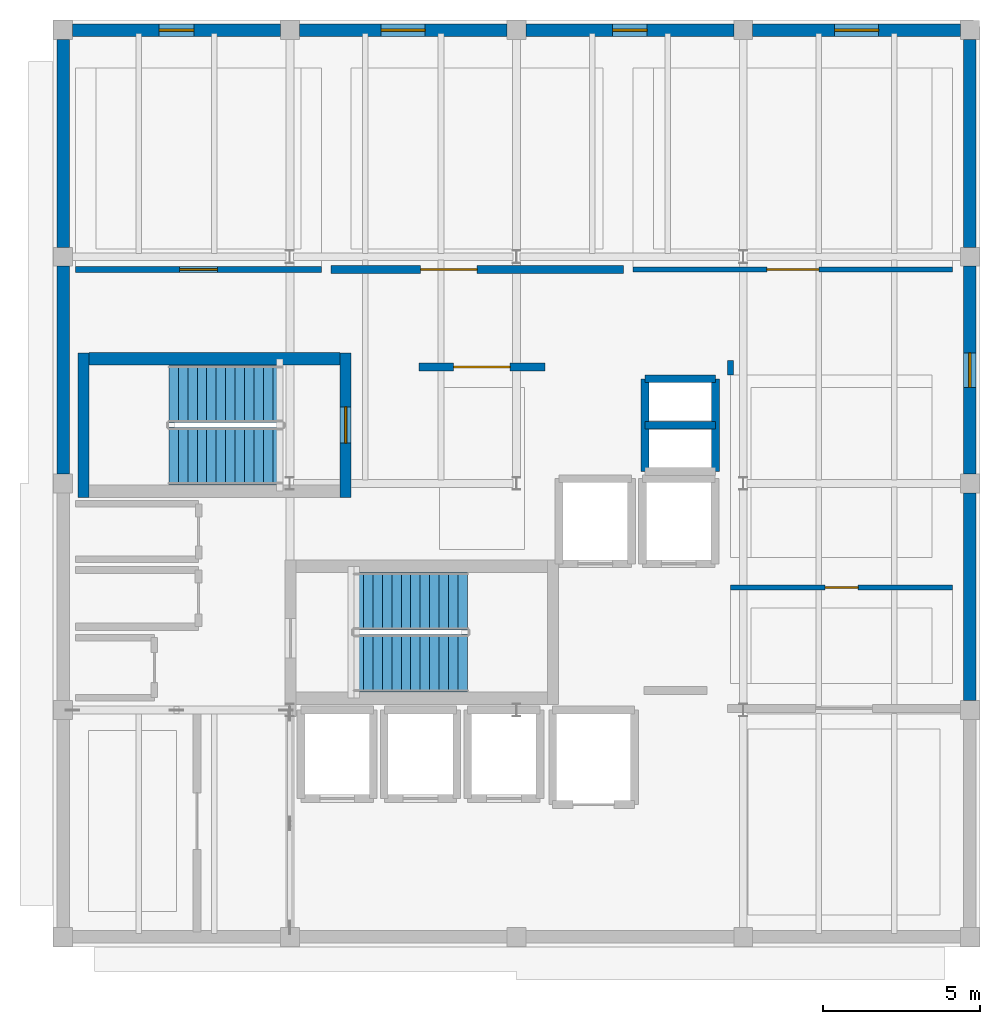
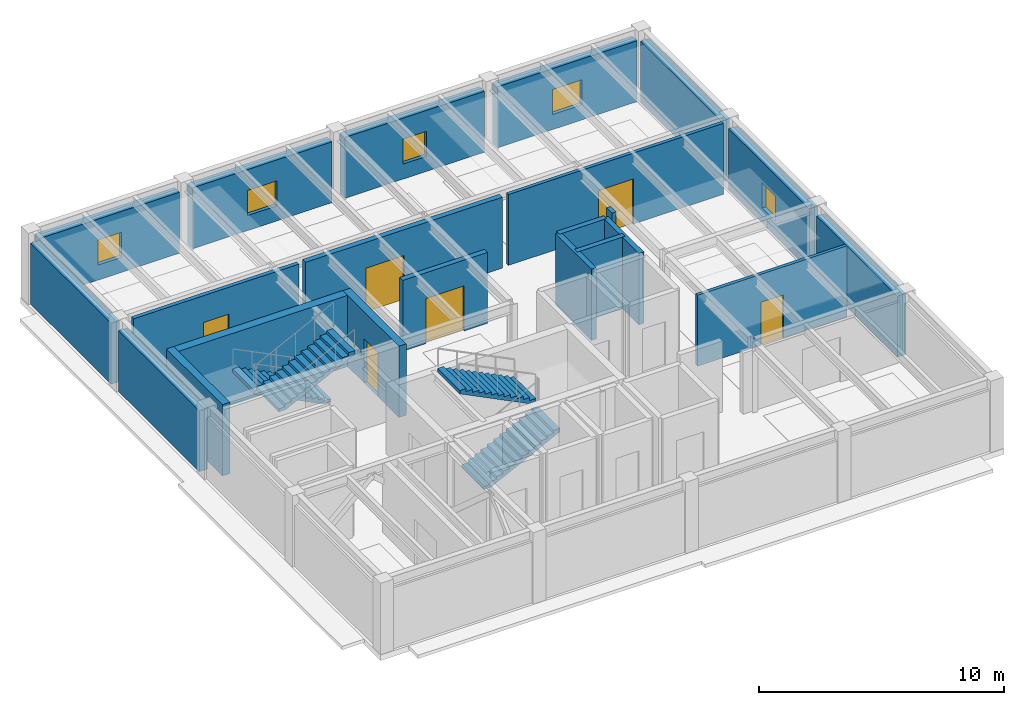
# One storey, part 5 of 8: 22 walls, 6 doors, 5 windows, 4 stair flights, 11 openings, 2 elements without a shape of their own.
"""IFC4 building model written with IfcOpenShell, lengths in metres."""

from ifc_helpers import new_model, si_unit, direction, frame, frame_2d, origin, place, context, subcontext, project, spatial, polyline, rectangle, outline, extrude, material, layer, layer_set, type_object, element, fill, aggregate, save


model = new_model("IFC4")

# Units and contexts
model_context = context("Model", 3, precision=1e-05, world=origin(), true_north=direction((0.0, 1.0)))
body_context = subcontext(model_context, "Body", "Model", "MODEL_VIEW")
ifc_project = project(units=[si_unit("LENGTHUNIT", "METRE"), si_unit("AREAUNIT", "SQUARE_METRE"), si_unit("VOLUMEUNIT", "CUBIC_METRE"), si_unit("PLANEANGLEUNIT", "RADIAN"), si_unit("MASSUNIT", "GRAM", prefix="KILO")], contexts=[model_context])

# Site, building, storey
site_placement = place(None, origin())
site = spatial("IfcSite", under=ifc_project, at=site_placement, CompositionType="ELEMENT")
building_placement = place(site_placement, origin())
building = spatial("IfcBuilding", under=site, at=building_placement, Name="Kandorven Conservatory and Botanical Research Centre", CompositionType="ELEMENT")
storey_placement = place(building_placement, frame((0.0, 0.0, 32.699951171875)))
storey = spatial("IfcBuildingStorey", under=building, at=storey_placement, Name="L08", CompositionType="ELEMENT", Elevation=32.699951171875)

# Wall
ifc_material_1 = material(Name="Concrete C40/50 (M50)", Category="concrete")
ifc_layer_1 = layer(ifc_material_1, 0.39990234375)
ifc_layer_set_1 = layer_set([ifc_layer_1], Name="Concrete C40/50 (M50)")
wall_type_1 = type_object("IfcWallType", Name="Wall_CW-RC-1", PredefinedType="SHEAR", material=ifc_layer_set_1)
wall_1_placement = place(storey_placement, frame((14.800048828125, 24.35498046875, 0.0), z_axis=(0.0, 0.0, 1.0), x_axis=(-1.0, 0.0, 0.0)))
element("IfcWall", 1, at=wall_1_placement, inside=storey, type_object=wall_type_1, Name="Core stair shear wall CW-RC-1 ST-T2 L08 side A", PredefinedType="SHEAR", context=body_context, shape_type="SweptSolid", body=[
    extrude(rectangle(XDim=7.97998046875, YDim=0.39990234375, at=frame_2d((3.989990234375, 0.0))), origin(), (0.0, 0.0, 1.0), 3.56005859375),
])

# Wall, opening, door
ifc_material_2 = material(Name="Concrete C40/50 (M50)", Category="concrete")
ifc_layer_2 = layer(ifc_material_2, 0.35009765625)
ifc_layer_set_2 = layer_set([ifc_layer_2], Name="Concrete C40/50 (M50)")
wall_type_2 = type_object("IfcWallType", Name="Wall_CW-RC-2", PredefinedType="SHEAR", material=ifc_layer_set_2)
wall_2_placement = place(storey_placement, frame((14.97509765625, 24.550048828125, 0.0), z_axis=(0.0, 0.0, 1.0), x_axis=(0.0, -1.0, 0.0)))
wall_2 = element("IfcWall", 2, at=wall_2_placement, inside=storey, type_object=wall_type_2, Name="Core stair shear wall CW-RC-2 ST-T2 L08 entry", PredefinedType="SHEAR", context=body_context, shape_type="SweptSolid", body=[
    extrude(rectangle(XDim=4.590087890625, YDim=0.35009765625, at=frame_2d((2.294921875, 0.0))), origin(), (0.0, 0.0, 1.0), 3.56005859375),
])
opening_1_placement = place(wall_2_placement, frame((1.719970703125, 0.0, 0.0)))
opening_1 = element("IfcOpeningElement", 3, at=opening_1_placement, cuts=wall_2, Name="Opening FD-2", PredefinedType="OPENING", context=body_context, shape_type="SweptSolid", body=[
    extrude(rectangle(XDim=1.14990234375, YDim=2.199951171875, at=frame_2d((0.574951171875, 1.10009765625))), frame((0.0, 0.18505859375, 0.0), z_axis=(0.0, -1.0, 0.0), x_axis=(1.0, 0.0, 0.0)), (0.0, 0.0, 1.0), 0.3701171875),
])
ifc_material_3 = material(Name="Galvanised hollow steel fire door assembly", Category="steel")
door_type_1 = type_object("IfcDoorType", Name="Door_FD-2", OperationType="NOTDEFINED", PredefinedType="DOOR", material=ifc_material_3)
door_1_placement = place(opening_1_placement, origin())
door_1 = element("IfcDoor", 4, at=door_1_placement, inside=storey, type_object=door_type_1, Name="Exit stair fire door FD-2 ST-T2 L08", OperationType="SINGLE_SWING_LEFT", OverallHeight=2.199951171875, OverallWidth=1.14990234375, PredefinedType="DOOR", context=body_context, shape_type="SweptSolid", body=[
    extrude(rectangle(XDim=1.14990234375, YDim=2.199951171875, at=frame_2d((0.574951171875, 1.10009765625))), frame((0.0, 0.02490234375, 0.0), z_axis=(0.0, -1.0, 0.0), x_axis=(1.0, 0.0, 0.0)), (0.0, 0.0, 1.0), 0.050048828125),
])
fill(opening_1, door_1)

# Walls
wall_3_placement = place(storey_placement, frame((6.64501953125, 24.550048828125, 0.0), z_axis=(0.0, 0.0, 1.0), x_axis=(0.0, -1.0, 0.0)))
element("IfcWall", 5, at=wall_3_placement, inside=storey, type_object=wall_type_2, Name="Core stair shear wall CW-RC-2 ST-T2 L08 far", PredefinedType="SHEAR", context=body_context, shape_type="SweptSolid", body=[
    extrude(rectangle(XDim=4.590087890625, YDim=0.35009765625, at=frame_2d((2.294921875, 0.0))), origin(), (0.0, 0.0, 1.0), 3.56005859375),
])
for number, where, z_axis, x_axis, name in (
    (6, (24.47998046875, 22.25, 0.0), (0.0, 0.0, 1.0), (1.0, 0.0, 0.0), "Core MEP riser shaft wall CW-RC-2 L08 M"),
    (7, (24.47998046875, 23.719970703125, 0.0), (0.0, 0.0, 1.0), (1.0, 0.0, 0.0), "Core MEP riser shaft wall CW-RC-2 L08 N"),
):
    element("IfcWall", number, at=place(storey_placement, frame(where, z_axis=z_axis, x_axis=x_axis)), inside=storey, type_object=wall_type_2, Name=name, PredefinedType="SHEAR", context=body_context, shape_type="SweptSolid", body=[
        extrude(rectangle(XDim=2.239990234375, YDim=0.239990234375, at=frame_2d((1.1201171875, 0.0))), origin(), (0.0, 0.0, 1.0), 3.56005859375),
    ])
for number, where, z_axis, x_axis, name in (
    (8, (24.47998046875, 20.780029296875, 0.0), (0.0, 0.0, 1.0), (0.0, 1.0, 0.0), "Core MEP riser shaft wall CW-RC-2 L08 W"),
    (9, (26.719970703125, 20.780029296875, 0.0), (0.0, 0.0, 1.0), (0.0, 1.0, 0.0), "Core MEP riser shaft wall CW-RC-2 L08 E"),
):
    element("IfcWall", number, at=place(storey_placement, frame(where, z_axis=z_axis, x_axis=x_axis)), inside=storey, type_object=wall_type_2, Name=name, PredefinedType="SHEAR", context=body_context, shape_type="SweptSolid", body=[
        extrude(rectangle(XDim=2.93994140625, YDim=0.239990234375, at=frame_2d((1.469970703125, 0.0))), origin(), (0.0, 0.0, 1.0), 3.56005859375),
    ])

# Wall, opening, window
ifc_material_4 = material(Name="Concrete C40/50 (M50)", Category="concrete")
ifc_layer_3 = layer(ifc_material_4, 0.39990234375)
ifc_layer_set_3 = layer_set([ifc_layer_3], Name="Concrete C40/50 (M50)")
wall_type_3 = type_object("IfcWallType", Name="Wall_EW-HB-01", PredefinedType="STANDARD", material=ifc_layer_set_3)
wall_4_placement = place(storey_placement, frame((6.300048828125, 34.800048828125, 0.0), z_axis=(0.0, 0.0, 1.0), x_axis=(1.0, 0.0, 0.0)))
wall_4 = element("IfcWall", 10, at=wall_4_placement, inside=storey, type_object=wall_type_3, Name="Tower concrete facade wall EW-HB-01 N L08", PredefinedType="STANDARD", context=body_context, shape_type="SweptSolid", body=[
    extrude(rectangle(XDim=6.599853515625, YDim=0.39990234375, at=frame_2d((3.2998046875, 0.0))), origin(), (0.0, 0.0, 1.0), 3.0400390625),
])
opening_2_placement = place(wall_4_placement, frame((2.75, 0.0, 0.75)))
opening_2 = element("IfcOpeningElement", 11, at=opening_2_placement, cuts=wall_4, Name="Opening W-45", PredefinedType="OPENING", context=body_context, shape_type="SweptSolid", body=[
    extrude(rectangle(XDim=1.10009765625, YDim=1.25, at=frame_2d((0.550048828125, 0.625))), frame((0.0, 0.2099609375, 0.0), z_axis=(0.0, -1.0, 0.0), x_axis=(1.0, 0.0, 0.0)), (0.0, 0.0, 1.0), 0.419921875),
])
ifc_material_5 = material(Name="Double-glazed solar-control low-E glass", Category="glass")
window_type_1 = type_object("IfcWindowType", Name="Win_W-45", PartitioningType="DOUBLE_PANEL_VERTICAL", PredefinedType="WINDOW", material=ifc_material_5)
window_1_placement = place(opening_2_placement, origin())
window_1 = element("IfcWindow", 12, at=window_1_placement, inside=storey, type_object=window_type_1, Name="Tower recessed solar window W-45", OverallHeight=1.25, OverallWidth=1.10009765625, PartitioningType="SINGLE_PANEL", PredefinedType="WINDOW", context=body_context, shape_type="SweptSolid", body=[
    extrude(rectangle(XDim=1.10009765625, YDim=1.25, at=frame_2d((0.550048828125, 0.625))), frame((0.0, 0.030029296875, 0.0), z_axis=(0.0, -1.0, 0.0), x_axis=(1.0, 0.0, 0.0)), (0.0, 0.0, 1.0), 0.06005859375),
])
fill(opening_2, window_1)

wall_5_placement = place(storey_placement, frame((13.5, 34.800048828125, 0.0), z_axis=(0.0, 0.0, 1.0), x_axis=(1.0, 0.0, 0.0)))
wall_5 = element("IfcWall", 13, at=wall_5_placement, inside=storey, type_object=wall_type_3, Name="Tower concrete facade wall EW-HB-01 N L08", PredefinedType="STANDARD", context=body_context, shape_type="SweptSolid", body=[
    extrude(rectangle(XDim=6.60009765625, YDim=0.39990234375, at=frame_2d((3.300048828125, 0.0))), origin(), (0.0, 0.0, 1.0), 3.0400390625),
])
opening_3_placement = place(wall_5_placement, frame((2.60009765625, 0.0, 0.75)))
opening_3 = element("IfcOpeningElement", 14, at=opening_3_placement, cuts=wall_5, Name="Opening W-46", PredefinedType="OPENING", context=body_context, shape_type="SweptSolid", body=[
    extrude(rectangle(XDim=1.39990234375, YDim=1.25, at=frame_2d((0.699951171875, 0.625))), frame((0.0, 0.2099609375, 0.0), z_axis=(0.0, -1.0, 0.0), x_axis=(1.0, 0.0, 0.0)), (0.0, 0.0, 1.0), 0.419921875),
])
ifc_material_6 = material(Name="Double-glazed solar-control low-E glass", Category="glass")
window_type_2 = type_object("IfcWindowType", Name="Win_W-46", PartitioningType="DOUBLE_PANEL_VERTICAL", PredefinedType="WINDOW", material=ifc_material_6)
window_2_placement = place(opening_3_placement, origin())
window_2 = element("IfcWindow", 15, at=window_2_placement, inside=storey, type_object=window_type_2, Name="Tower recessed solar window W-46", OverallHeight=1.25, OverallWidth=1.39990234375, PartitioningType="SINGLE_PANEL", PredefinedType="WINDOW", context=body_context, shape_type="SweptSolid", body=[
    extrude(rectangle(XDim=1.39990234375, YDim=1.25, at=frame_2d((0.699951171875, 0.625))), frame((0.0, 0.030029296875, 0.0), z_axis=(0.0, -1.0, 0.0), x_axis=(1.0, 0.0, 0.0)), (0.0, 0.0, 1.0), 0.06005859375),
])
fill(opening_3, window_2)

wall_6_placement = place(storey_placement, frame((20.699951171875, 34.800048828125, 0.0), z_axis=(0.0, 0.0, 1.0), x_axis=(1.0, 0.0, 0.0)))
wall_6 = element("IfcWall", 16, at=wall_6_placement, inside=storey, type_object=wall_type_3, Name="Tower concrete facade wall EW-HB-01 N L08", PredefinedType="STANDARD", context=body_context, shape_type="SweptSolid", body=[
    extrude(rectangle(XDim=6.60009765625, YDim=0.39990234375, at=frame_2d((3.300048828125, 0.0))), origin(), (0.0, 0.0, 1.0), 3.0400390625),
])
opening_4_placement = place(wall_6_placement, frame((2.75, 0.0, 0.75)))
opening_4 = element("IfcOpeningElement", 17, at=opening_4_placement, cuts=wall_6, Name="Opening W-45", PredefinedType="OPENING", context=body_context, shape_type="SweptSolid", body=[
    extrude(rectangle(XDim=1.10009765625, YDim=1.25, at=frame_2d((0.550048828125, 0.625))), frame((0.0, 0.2099609375, 0.0), z_axis=(0.0, -1.0, 0.0), x_axis=(1.0, 0.0, 0.0)), (0.0, 0.0, 1.0), 0.419921875),
])
window_3_placement = place(opening_4_placement, origin())
window_3 = element("IfcWindow", 18, at=window_3_placement, inside=storey, type_object=window_type_1, Name="Tower recessed solar window W-45", OverallHeight=1.25, OverallWidth=1.10009765625, PartitioningType="SINGLE_PANEL", PredefinedType="WINDOW", context=body_context, shape_type="SweptSolid", body=[
    extrude(rectangle(XDim=1.10009765625, YDim=1.25, at=frame_2d((0.550048828125, 0.625))), frame((0.0, 0.030029296875, 0.0), z_axis=(0.0, -1.0, 0.0), x_axis=(1.0, 0.0, 0.0)), (0.0, 0.0, 1.0), 0.06005859375),
])
fill(opening_4, window_3)

wall_7_placement = place(storey_placement, frame((27.89990234375, 34.800048828125, 0.0), z_axis=(0.0, 0.0, 1.0), x_axis=(1.0, 0.0, 0.0)))
wall_7 = element("IfcWall", 19, at=wall_7_placement, inside=storey, type_object=wall_type_3, Name="Tower concrete facade wall EW-HB-01 N L08", PredefinedType="STANDARD", context=body_context, shape_type="SweptSolid", body=[
    extrude(rectangle(XDim=6.60009765625, YDim=0.39990234375, at=frame_2d((3.300048828125, 0.0))), origin(), (0.0, 0.0, 1.0), 3.0400390625),
])
opening_5_placement = place(wall_7_placement, frame((2.60009765625, 0.0, 0.75)))
opening_5 = element("IfcOpeningElement", 20, at=opening_5_placement, cuts=wall_7, Name="Opening W-46", PredefinedType="OPENING", context=body_context, shape_type="SweptSolid", body=[
    extrude(rectangle(XDim=1.39990234375, YDim=1.25, at=frame_2d((0.699951171875, 0.625))), frame((0.0, 0.2099609375, 0.0), z_axis=(0.0, -1.0, 0.0), x_axis=(1.0, 0.0, 0.0)), (0.0, 0.0, 1.0), 0.419921875),
])
window_4_placement = place(opening_5_placement, origin())
window_4 = element("IfcWindow", 21, at=window_4_placement, inside=storey, type_object=window_type_2, Name="Tower recessed solar window W-46", OverallHeight=1.25, OverallWidth=1.39990234375, PartitioningType="SINGLE_PANEL", PredefinedType="WINDOW", context=body_context, shape_type="SweptSolid", body=[
    extrude(rectangle(XDim=1.39990234375, YDim=1.25, at=frame_2d((0.699951171875, 0.625))), frame((0.0, 0.030029296875, 0.0), z_axis=(0.0, -1.0, 0.0), x_axis=(1.0, 0.0, 0.0)), (0.0, 0.0, 1.0), 0.06005859375),
])
fill(opening_5, window_4)

# Walls
for number, where, z_axis, x_axis, name in (
    (22, (6.0, 20.699951171875, 0.0), (0.0, 0.0, 1.0), (0.0, 1.0, 0.0), "Tower concrete facade wall EW-HB-01 W L08"),
    (23, (6.0, 27.89990234375, 0.0), (0.0, 0.0, 1.0), (0.0, 1.0, 0.0), "Tower concrete facade wall EW-HB-01 W L08"),
    (24, (34.800048828125, 13.5, 0.0), (0.0, 0.0, 1.0), (0.0, 1.0, 0.0), "Tower concrete facade wall EW-HB-01 E L08"),
):
    element("IfcWall", number, at=place(storey_placement, frame(where, z_axis=z_axis, x_axis=x_axis)), inside=storey, type_object=wall_type_3, Name=name, PredefinedType="STANDARD", context=body_context, shape_type="SweptSolid", body=[
        extrude(rectangle(XDim=6.60009765625, YDim=0.39990234375, at=frame_2d((3.300048828125, 0.0))), origin(), (0.0, 0.0, 1.0), 3.0400390625),
    ])

# Wall, opening, window
wall_8_placement = place(storey_placement, frame((34.800048828125, 20.699951171875, 0.0), z_axis=(0.0, 0.0, 1.0), x_axis=(0.0, 1.0, 0.0)))
wall_8 = element("IfcWall", 25, at=wall_8_placement, inside=storey, type_object=wall_type_3, Name="Tower concrete facade wall EW-HB-01 E L08", PredefinedType="STANDARD", context=body_context, shape_type="SweptSolid", body=[
    extrude(rectangle(XDim=6.60009765625, YDim=0.39990234375, at=frame_2d((3.300048828125, 0.0))), origin(), (0.0, 0.0, 1.0), 3.0400390625),
])
opening_6_placement = place(wall_8_placement, frame((2.75, 0.0, 0.75)))
opening_6 = element("IfcOpeningElement", 26, at=opening_6_placement, cuts=wall_8, Name="Opening W-45", PredefinedType="OPENING", context=body_context, shape_type="SweptSolid", body=[
    extrude(rectangle(XDim=1.10009765625, YDim=1.25, at=frame_2d((0.550048828125, 0.625))), frame((0.0, 0.2099609375, 0.0), z_axis=(0.0, -1.0, 0.0), x_axis=(1.0, 0.0, 0.0)), (0.0, 0.0, 1.0), 0.419921875),
])
window_5_placement = place(opening_6_placement, origin())
window_5 = element("IfcWindow", 27, at=window_5_placement, inside=storey, type_object=window_type_1, Name="Tower recessed solar window W-45", OverallHeight=1.25, OverallWidth=1.10009765625, PartitioningType="SINGLE_PANEL", PredefinedType="WINDOW", context=body_context, shape_type="SweptSolid", body=[
    extrude(rectangle(XDim=1.10009765625, YDim=1.25, at=frame_2d((0.550048828125, 0.625))), frame((0.0, 0.030029296875, 0.0), z_axis=(0.0, -1.0, 0.0), x_axis=(1.0, 0.0, 0.0)), (0.0, 0.0, 1.0), 0.06005859375),
])
fill(opening_6, window_5)

# Walls
wall_9_placement = place(storey_placement, frame((34.800048828125, 27.89990234375, 0.0), z_axis=(0.0, 0.0, 1.0), x_axis=(0.0, 1.0, 0.0)))
element("IfcWall", 28, at=wall_9_placement, inside=storey, type_object=wall_type_3, Name="Tower concrete facade wall EW-HB-01 E L08", PredefinedType="STANDARD", context=body_context, shape_type="SweptSolid", body=[
    extrude(rectangle(XDim=6.60009765625, YDim=0.39990234375, at=frame_2d((3.300048828125, 0.0))), origin(), (0.0, 0.0, 1.0), 3.0400390625),
])
ifc_material_7 = material(Name="Autoclaved aerated concrete blockwork masonry", Category="masonry")
ifc_layer_4 = layer(ifc_material_7, 0.195068359375)
ifc_layer_set_4 = layer_set([ifc_layer_4], Name="Autoclaved aerated concrete blockwork masonry")
wall_type_4 = type_object("IfcWallType", Name="Wall_IW-02", PredefinedType="PARTITIONING", material=ifc_layer_set_4)
wall_10_placement = place(storey_placement, frame((27.199951171875, 24.300048828125, 0.0), z_axis=(0.0, 0.0, 1.0), x_axis=(0.0, -1.0, 0.0)))
element("IfcWall", 29, at=wall_10_placement, inside=storey, type_object=wall_type_4, Name="Interior partition wall IW-02 (Herbarium Digitisation and Imaging Studio L08)", PredefinedType="PARTITIONING", context=body_context, shape_type="SweptSolid", body=[
    extrude(rectangle(XDim=0.449951171875, YDim=0.195068359375, at=frame_2d((0.22509765625, 0.0))), origin(), (0.0, 0.0, 1.0), 3.5400390625),
])

# Wall, opening, door
ifc_material_8 = material(Name="Autoclaved aerated concrete blockwork masonry", Category="masonry")
ifc_layer_5 = layer(ifc_material_8, 0.1650390625)
ifc_layer_set_5 = layer_set([ifc_layer_5], Name="Autoclaved aerated concrete blockwork masonry")
wall_type_5 = type_object("IfcWallType", Name="Wall_IW-04", PredefinedType="PARTITIONING", material=ifc_layer_set_5)
wall_11_placement = place(storey_placement, frame((24.10009765625, 27.199951171875, 0.0), z_axis=(0.0, 0.0, 1.0), x_axis=(1.0, 0.0, 0.0)))
wall_11 = element("IfcWall", 30, at=wall_11_placement, inside=storey, type_object=wall_type_5, Name="Interior partition wall IW-04 (Palynology Research Laboratory L08)", PredefinedType="PARTITIONING", context=body_context, shape_type="SweptSolid", body=[
    extrude(rectangle(XDim=10.14990234375, YDim=0.1650390625, at=frame_2d((5.074951171875, 0.0))), origin(), (0.0, 0.0, 1.0), 3.5400390625),
])
opening_7_placement = place(wall_11_placement, frame((4.25, 0.0, 0.0)))
opening_7 = element("IfcOpeningElement", 31, at=opening_7_placement, cuts=wall_11, Name="Opening D-09", PredefinedType="OPENING", context=body_context, shape_type="SweptSolid", body=[
    extrude(rectangle(XDim=1.64990234375, YDim=2.25, at=frame_2d((0.824951171875, 1.125))), frame((0.0, 0.092529296875, 0.0), z_axis=(0.0, -1.0, 0.0), x_axis=(1.0, 0.0, 0.0)), (0.0, 0.0, 1.0), 0.18505859375),
])
ifc_material_9 = material(Name="Solid core acoustic teak-veneered timber leaf", Category="wood")
door_type_2 = type_object("IfcDoorType", Name="Door_D-09", OperationType="NOTDEFINED", PredefinedType="DOOR", material=ifc_material_9)
door_2_placement = place(opening_7_placement, origin())
door_2 = element("IfcDoor", 32, at=door_2_placement, inside=storey, type_object=door_type_2, Name="Interior door D-09 to Palynology Research Laboratory L08", OperationType="DOUBLE_DOOR_SINGLE_SWING", OverallHeight=2.25, OverallWidth=1.64990234375, PredefinedType="DOOR", context=body_context, shape_type="SweptSolid", body=[
    extrude(rectangle(XDim=1.64990234375, YDim=2.25, at=frame_2d((0.824951171875, 1.125))), frame((0.0, 0.02490234375, 0.0), z_axis=(0.0, -1.0, 0.0), x_axis=(1.0, 0.0, 0.0)), (0.0, 0.0, 1.0), 0.050048828125),
])
fill(opening_7, door_2)

ifc_material_10 = material(Name="Autoclaved aerated concrete blockwork masonry", Category="masonry")
ifc_layer_6 = layer(ifc_material_10, 0.157958984375)
ifc_layer_set_6 = layer_set([ifc_layer_6], Name="Autoclaved aerated concrete blockwork masonry")
wall_type_6 = type_object("IfcWallType", Name="Wall_IW-16", PredefinedType="PARTITIONING", material=ifc_layer_set_6)
wall_12_placement = place(storey_placement, frame((27.199951171875, 17.10009765625, 0.0), z_axis=(0.0, 0.0, 1.0), x_axis=(1.0, 0.0, 0.0)))
wall_12 = element("IfcWall", 33, at=wall_12_placement, inside=storey, type_object=wall_type_6, Name="Interior partition wall IW-16 (Flora Taxonomy Microscopy Laboratory L08)", PredefinedType="PARTITIONING", context=body_context, shape_type="SweptSolid", body=[
    extrude(rectangle(XDim=7.050048828125, YDim=0.157958984375, at=frame_2d((3.52490234375, 0.0))), origin(), (0.0, 0.0, 1.0), 3.5400390625),
])
opening_8_placement = place(wall_12_placement, frame((3.0, 0.0, 0.0)))
opening_8 = element("IfcOpeningElement", 34, at=opening_8_placement, cuts=wall_12, Name="Opening D-03", PredefinedType="OPENING", context=body_context, shape_type="SweptSolid", body=[
    extrude(rectangle(XDim=1.050048828125, YDim=2.14990234375, at=frame_2d((0.52490234375, 1.074951171875))), frame((0.0, 0.0888671875, 0.0), z_axis=(0.0, -1.0, 0.0), x_axis=(1.0, 0.0, 0.0)), (0.0, 0.0, 1.0), 0.177978515625),
])
ifc_material_11 = material(Name="Solid core acoustic teak-veneered timber leaf", Category="wood")
door_type_3 = type_object("IfcDoorType", Name="Door_D-03", OperationType="NOTDEFINED", PredefinedType="DOOR", material=ifc_material_11)
door_3_placement = place(opening_8_placement, origin())
door_3 = element("IfcDoor", 35, at=door_3_placement, inside=storey, type_object=door_type_3, Name="Interior door D-03 to Flora Taxonomy Microscopy Laboratory L08", OperationType="SINGLE_SWING_LEFT", OverallHeight=2.14990234375, OverallWidth=1.050048828125, PredefinedType="DOOR", context=body_context, shape_type="SweptSolid", body=[
    extrude(rectangle(XDim=1.050048828125, YDim=2.14990234375, at=frame_2d((0.52490234375, 1.074951171875))), frame((0.0, 0.02490234375, 0.0), z_axis=(0.0, -1.0, 0.0), x_axis=(1.0, 0.0, 0.0)), (0.0, 0.0, 1.0), 0.050048828125),
])
fill(opening_8, door_3)

ifc_material_12 = material(Name="Autoclaved aerated concrete blockwork masonry", Category="masonry")
ifc_layer_7 = layer(ifc_material_12, 0.18798828125)
ifc_layer_set_7 = layer_set([ifc_layer_7], Name="Autoclaved aerated concrete blockwork masonry")
wall_type_7 = type_object("IfcWallType", Name="Wall_IW-18", PredefinedType="PARTITIONING", material=ifc_layer_set_7)
wall_13_placement = place(storey_placement, frame((6.39990234375, 27.199951171875, 0.0), z_axis=(0.0, 0.0, 1.0), x_axis=(1.0, 0.0, 0.0)))
wall_13 = element("IfcWall", 36, at=wall_13_placement, inside=storey, type_object=wall_type_7, Name="Interior partition wall IW-18 (Ethnobotany Field Specimen Studio L08)", PredefinedType="PARTITIONING", context=body_context, shape_type="SweptSolid", body=[
    extrude(rectangle(XDim=7.800048828125, YDim=0.18798828125, at=frame_2d((3.89990234375, 0.0))), origin(), (0.0, 0.0, 1.0), 3.5400390625),
])
opening_9_placement = place(wall_13_placement, frame((3.300048828125, 0.0, 0.0)))
opening_9 = element("IfcOpeningElement", 37, at=opening_9_placement, cuts=wall_13, Name="Opening D-05", PredefinedType="OPENING", context=body_context, shape_type="SweptSolid", body=[
    extrude(rectangle(XDim=1.199951171875, YDim=2.199951171875, at=frame_2d((0.60009765625, 1.10009765625))), frame((0.0, 0.10400390625, 0.0), z_axis=(0.0, -1.0, 0.0), x_axis=(1.0, 0.0, 0.0)), (0.0, 0.0, 1.0), 0.2080078125),
])
ifc_material_13 = material(Name="Solid core acoustic teak-veneered timber leaf", Category="wood")
door_type_4 = type_object("IfcDoorType", Name="Door_D-05", OperationType="NOTDEFINED", PredefinedType="DOOR", material=ifc_material_13)
door_4_placement = place(opening_9_placement, frame((1.199951171875, 0.0, 0.0), z_axis=(0.0, 0.0, 1.0), x_axis=(-1.0, 0.0, 0.0)))
door_4 = element("IfcDoor", 38, at=door_4_placement, inside=storey, type_object=door_type_4, Name="Interior door D-05 to Ethnobotany Field Specimen Studio L08", OperationType="SINGLE_SWING_LEFT", OverallHeight=2.199951171875, OverallWidth=1.199951171875, PredefinedType="DOOR", context=body_context, shape_type="SweptSolid", body=[
    extrude(rectangle(XDim=1.199951171875, YDim=2.199951171875, at=frame_2d((0.60009765625, 1.10009765625))), frame((0.0, 0.02490234375, 0.0), z_axis=(0.0, -1.0, 0.0), x_axis=(1.0, 0.0, 0.0)), (0.0, 0.0, 1.0), 0.050048828125),
])
fill(opening_9, door_4)

ifc_material_14 = material(Name="Concrete C32/40 (M40)", Category="concrete")
ifc_layer_8 = layer(ifc_material_14, 0.25)
ifc_layer_set_8 = layer_set([ifc_layer_8], Name="Concrete C32/40 (M40)")
wall_type_8 = type_object("IfcWallType", Name="Wall_IW-FR-1", PredefinedType="SOLIDWALL", material=ifc_layer_set_8)
wall_14_placement = place(storey_placement, frame((17.300048828125, 24.10009765625, 0.0), z_axis=(0.0, 0.0, 1.0), x_axis=(1.0, 0.0, 0.0)))
wall_14 = element("IfcWall", 39, at=wall_14_placement, inside=storey, type_object=wall_type_8, Name="Interior fire partition wall IW-FR-1 (Herbarium Bryophyte Collection Vault L08)", PredefinedType="SOLIDWALL", context=body_context, shape_type="SweptSolid", body=[
    extrude(rectangle(XDim=4.0, YDim=0.25, at=frame_2d((2.0, 0.0))), origin(), (0.0, 0.0, 1.0), 3.5400390625),
])
opening_10_placement = place(wall_14_placement, frame((1.10009765625, 0.0, 0.0)))
opening_10 = element("IfcOpeningElement", 40, at=opening_10_placement, cuts=wall_14, Name="Opening FD-4", PredefinedType="OPENING", context=body_context, shape_type="SweptSolid", body=[
    extrude(rectangle(XDim=1.800048828125, YDim=2.25, at=frame_2d((0.89990234375, 1.125))), frame((0.0, 0.135009765625, 0.0), z_axis=(0.0, -1.0, 0.0), x_axis=(1.0, 0.0, 0.0)), (0.0, 0.0, 1.0), 0.27001953125),
])
ifc_material_15 = material(Name="Galvanised hollow steel fire door assembly", Category="steel")
door_type_5 = type_object("IfcDoorType", Name="Door_FD-4", OperationType="NOTDEFINED", PredefinedType="DOOR", material=ifc_material_15)
door_5_placement = place(opening_10_placement, frame((1.800048828125, 0.0, 0.0), z_axis=(0.0, 0.0, 1.0), x_axis=(-1.0, 0.0, 0.0)))
door_5 = element("IfcDoor", 41, at=door_5_placement, inside=storey, type_object=door_type_5, Name="Interior door FD-4 to Herbarium Bryophyte Collection Vault L08", OperationType="DOUBLE_DOOR_SINGLE_SWING", OverallHeight=2.25, OverallWidth=1.800048828125, PredefinedType="DOOR", context=body_context, shape_type="SweptSolid", body=[
    extrude(rectangle(XDim=1.800048828125, YDim=2.25, at=frame_2d((0.89990234375, 1.125))), frame((0.0, 0.02490234375, 0.0), z_axis=(0.0, -1.0, 0.0), x_axis=(1.0, 0.0, 0.0)), (0.0, 0.0, 1.0), 0.050048828125),
])
fill(opening_10, door_5)

wall_15_placement = place(storey_placement, frame((14.5, 27.199951171875, 0.0), z_axis=(0.0, 0.0, 1.0), x_axis=(1.0, 0.0, 0.0)))
wall_15 = element("IfcWall", 42, at=wall_15_placement, inside=storey, type_object=wall_type_8, Name="Interior fire partition wall IW-FR-1 (Herbarium Cryptogamic Collection Archive L08)", PredefinedType="SOLIDWALL", context=body_context, shape_type="SweptSolid", body=[
    extrude(rectangle(XDim=9.300048828125, YDim=0.25, at=frame_2d((4.64990234375, 0.0))), origin(), (0.0, 0.0, 1.0), 3.5400390625),
])
opening_11_placement = place(wall_15_placement, frame((2.85009765625, 0.0, 0.0)))
opening_11 = element("IfcOpeningElement", 43, at=opening_11_placement, cuts=wall_15, Name="Opening FD-4", PredefinedType="OPENING", context=body_context, shape_type="SweptSolid", body=[
    extrude(rectangle(XDim=1.800048828125, YDim=2.25, at=frame_2d((0.89990234375, 1.125))), frame((0.0, 0.135009765625, 0.0), z_axis=(0.0, -1.0, 0.0), x_axis=(1.0, 0.0, 0.0)), (0.0, 0.0, 1.0), 0.27001953125),
])
door_6_placement = place(opening_11_placement, frame((1.800048828125, 0.0, 0.0), z_axis=(0.0, 0.0, 1.0), x_axis=(-1.0, 0.0, 0.0)))
door_6 = element("IfcDoor", 44, at=door_6_placement, inside=storey, type_object=door_type_5, Name="Interior door FD-4 to Herbarium Cryptogamic Collection Archive L08", OperationType="DOUBLE_DOOR_SINGLE_SWING", OverallHeight=2.25, OverallWidth=1.800048828125, PredefinedType="DOOR", context=body_context, shape_type="SweptSolid", body=[
    extrude(rectangle(XDim=1.800048828125, YDim=2.25, at=frame_2d((0.89990234375, 1.125))), frame((0.0, 0.02490234375, 0.0), z_axis=(0.0, -1.0, 0.0), x_axis=(1.0, 0.0, 0.0)), (0.0, 0.0, 1.0), 0.050048828125),
])
fill(opening_11, door_6)

# Stair, stair flights
ifc_material_16 = material(Name="Concrete C32/40 (M40)", Category="concrete")
stair_type = type_object("IfcStairType", Name="Stair_1820", PredefinedType="HALF_TURN_STAIR", material=ifc_material_16)
stair_1_placement = place(storey_placement, origin())
stair_1 = element("IfcStair", 45, at=stair_1_placement, inside=storey, type_object=stair_type, Name="L08 Tower Fire Stair ST-T1", PredefinedType="HALF_TURN_STAIR")
ifc_material_17 = material(Name="Concrete C32/40 (M40)", Category="concrete")
ifc_layer_9 = layer(ifc_material_17, 0.14990234375)
ifc_layer_set_9 = layer_set([ifc_layer_9], Name="Concrete C32/40 (M40)")
stair_flight_type = type_object("IfcStairFlightType", Name="Flight_1820", PredefinedType="STRAIGHT", material=ifc_layer_set_9)
stair_flight_1_placement = place(storey_placement, frame((15.239990234375, 14.68994140625, 0.0), z_axis=(0.0, 0.0, 1.0), x_axis=(1.0, 0.0, 0.0)))
stair_flight_1 = element("IfcStairFlight", 46, at=stair_flight_1_placement, type_object=stair_flight_type, Name="ST-T1 flight 1", NumberOfRisers=13, NumberOfTreads=12, PredefinedType="STRAIGHT", RiserHeight=0.15, TreadLength=0.3, context=body_context, shape_type="SweptSolid", body=[
    extrude(outline(polyline([(0.0, 0.0), (0.0, 0.14990234375), (0.300048828125, 0.14990234375), (0.300048828125, 0.300048828125), (0.60009765625, 0.300048828125), (0.60009765625, 0.449951171875), (0.89990234375, 0.449951171875), (0.89990234375, 0.60009765625), (1.199951171875, 0.60009765625), (1.199951171875, 0.75), (1.5, 0.75), (1.5, 0.89990234375), (1.800048828125, 0.89990234375), (1.800048828125, 1.050048828125), (2.10009765625, 1.050048828125), (2.10009765625, 1.199951171875), (2.39990234375, 1.199951171875), (2.39990234375, 1.35009765625), (2.699951171875, 1.35009765625), (2.699951171875, 1.5), (3.0, 1.5), (3.0, 1.64990234375), (3.300048828125, 1.64990234375), (3.300048828125, 1.800048828125), (3.60009765625, 1.800048828125), (3.60009765625, 1.949951171875), (3.60009765625, 1.63232421875), (0.335205078125, 0.0), (0.0, 0.0)])), frame((0.0, 0.91015625, 0.0), z_axis=(0.0, -1.0, 0.0), x_axis=(1.0, 0.0, 0.0)), (0.0, 0.0, 1.0), 1.820068359375),
])
stair_flight_2_placement = place(storey_placement, frame((18.839599609375, 16.659912109375, 1.949951171875), z_axis=(0.0, 0.0, 1.0), x_axis=(-1.0, 0.0, 0.0)))
stair_flight_2 = element("IfcStairFlight", 47, at=stair_flight_2_placement, type_object=stair_flight_type, Name="ST-T1 flight 2", NumberOfRisers=13, NumberOfTreads=12, PredefinedType="STRAIGHT", RiserHeight=0.15, TreadLength=0.3, context=body_context, shape_type="SweptSolid", body=[
    extrude(outline(polyline([(0.0, 0.0), (0.0, 0.14990234375), (0.300048828125, 0.14990234375), (0.300048828125, 0.300048828125), (0.60009765625, 0.300048828125), (0.60009765625, 0.449951171875), (0.89990234375, 0.449951171875), (0.89990234375, 0.60009765625), (1.199951171875, 0.60009765625), (1.199951171875, 0.75), (1.5, 0.75), (1.5, 0.89990234375), (1.800048828125, 0.89990234375), (1.800048828125, 1.050048828125), (2.10009765625, 1.050048828125), (2.10009765625, 1.199951171875), (2.39990234375, 1.199951171875), (2.39990234375, 1.35009765625), (2.699951171875, 1.35009765625), (2.699951171875, 1.5), (3.0, 1.5), (3.0, 1.64990234375), (3.300048828125, 1.64990234375), (3.300048828125, 1.800048828125), (3.60009765625, 1.800048828125), (3.60009765625, 1.949951171875), (3.60009765625, 1.63232421875), (0.335205078125, 0.0), (0.0, 0.0)])), frame((0.0, 0.91015625, 0.0), z_axis=(0.0, -1.0, 0.0), x_axis=(1.0, 0.0, 0.0)), (0.0, 0.0, 1.0), 1.820068359375),
])
aggregate(stair_1, [stair_flight_1, stair_flight_2])

stair_2_placement = place(storey_placement, origin())
stair_2 = element("IfcStair", 48, at=stair_2_placement, inside=storey, type_object=stair_type, Name="L08 Tower Fire Stair ST-T2", PredefinedType="HALF_TURN_STAIR")
stair_flight_3_placement = place(storey_placement, frame((12.9599609375, 23.239990234375, 0.0), z_axis=(0.0, 0.0, 1.0), x_axis=(-1.0, 0.0, 0.0)))
stair_flight_3 = element("IfcStairFlight", 49, at=stair_flight_3_placement, type_object=stair_flight_type, Name="ST-T2 flight 1", NumberOfRisers=13, NumberOfTreads=12, PredefinedType="STRAIGHT", RiserHeight=0.15, TreadLength=0.3, context=body_context, shape_type="SweptSolid", body=[
    extrude(outline(polyline([(0.0, 0.0), (0.0, 0.14990234375), (0.300048828125, 0.14990234375), (0.300048828125, 0.300048828125), (0.60009765625, 0.300048828125), (0.60009765625, 0.449951171875), (0.89990234375, 0.449951171875), (0.89990234375, 0.60009765625), (1.199951171875, 0.60009765625), (1.199951171875, 0.75), (1.5, 0.75), (1.5, 0.89990234375), (1.800048828125, 0.89990234375), (1.800048828125, 1.050048828125), (2.10009765625, 1.050048828125), (2.10009765625, 1.199951171875), (2.39990234375, 1.199951171875), (2.39990234375, 1.35009765625), (2.699951171875, 1.35009765625), (2.699951171875, 1.5), (3.0, 1.5), (3.0, 1.64990234375), (3.300048828125, 1.64990234375), (3.300048828125, 1.800048828125), (3.60009765625, 1.800048828125), (3.60009765625, 1.949951171875), (3.60009765625, 1.63232421875), (0.335205078125, 0.0), (0.0, 0.0)])), frame((0.0, 0.91015625, 0.0), z_axis=(0.0, -1.0, 0.0), x_axis=(1.0, 0.0, 0.0)), (0.0, 0.0, 1.0), 1.820068359375),
])
stair_flight_4_placement = place(storey_placement, frame((9.360595703125, 21.27001953125, 1.949951171875), z_axis=(0.0, 0.0, 1.0), x_axis=(1.0, 0.0, 0.0)))
stair_flight_4 = element("IfcStairFlight", 50, at=stair_flight_4_placement, type_object=stair_flight_type, Name="ST-T2 flight 2", NumberOfRisers=13, NumberOfTreads=12, PredefinedType="STRAIGHT", RiserHeight=0.15, TreadLength=0.3, context=body_context, shape_type="SweptSolid", body=[
    extrude(outline(polyline([(0.0, 0.0), (0.0, 0.14990234375), (0.300048828125, 0.14990234375), (0.300048828125, 0.300048828125), (0.60009765625, 0.300048828125), (0.60009765625, 0.449951171875), (0.89990234375, 0.449951171875), (0.89990234375, 0.60009765625), (1.199951171875, 0.60009765625), (1.199951171875, 0.75), (1.5, 0.75), (1.5, 0.89990234375), (1.800048828125, 0.89990234375), (1.800048828125, 1.050048828125), (2.10009765625, 1.050048828125), (2.10009765625, 1.199951171875), (2.39990234375, 1.199951171875), (2.39990234375, 1.35009765625), (2.699951171875, 1.35009765625), (2.699951171875, 1.5), (3.0, 1.5), (3.0, 1.64990234375), (3.300048828125, 1.64990234375), (3.300048828125, 1.800048828125), (3.60009765625, 1.800048828125), (3.60009765625, 1.949951171875), (3.60009765625, 1.63232421875), (0.335205078125, 0.0), (0.0, 0.0)])), frame((0.0, 0.91015625, 0.0), z_axis=(0.0, -1.0, 0.0), x_axis=(1.0, 0.0, 0.0)), (0.0, 0.0, 1.0), 1.820068359375),
])
aggregate(stair_2, [stair_flight_3, stair_flight_4])

save(model, "model.ifc")
